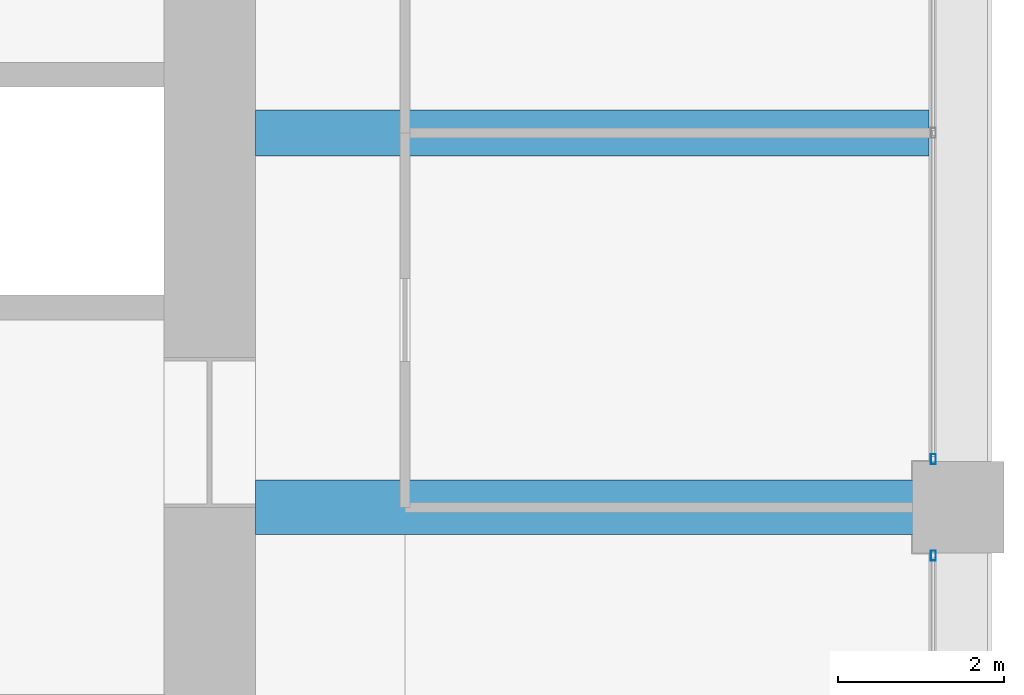
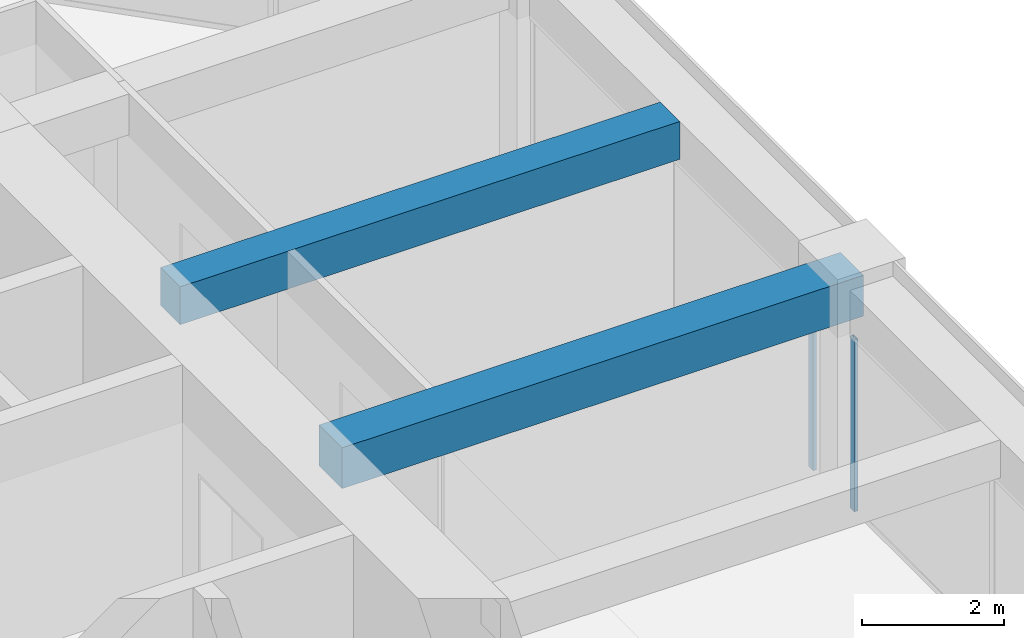
# One storey, part 26 of 44: 2 beams, 2 members, 2 elements without a shape of their own.
"""IFC4 building model written with IfcOpenShell, lengths in metres."""

from ifc_helpers import new_model, si_unit, direction, frame, origin, origin_2d, place, context, subcontext, project, spatial, rectangle, hollow_rectangle, extrude, material, material_profile, profile_set, type_object, element, aggregate, save


model = new_model("IFC4")

# Units and contexts
model_context = context("Model", 3, precision=1e-05, world=origin(), true_north=direction((0.0, 1.0)))
body_context = subcontext(model_context, "Body", "Model", "MODEL_VIEW")
ifc_project = project(units=[si_unit("LENGTHUNIT", "METRE"), si_unit("AREAUNIT", "SQUARE_METRE"), si_unit("VOLUMEUNIT", "CUBIC_METRE"), si_unit("PLANEANGLEUNIT", "RADIAN"), si_unit("MASSUNIT", "GRAM", prefix="KILO")], contexts=[model_context])

# Site, building, storey
site_placement = place(None, origin())
site = spatial("IfcSite", under=ifc_project, at=site_placement, CompositionType="ELEMENT")
building_placement = place(site_placement, origin())
building = spatial("IfcBuilding", under=site, at=building_placement, Name="Zorevar Civic Tower", CompositionType="ELEMENT")
storey_placement = place(building_placement, frame((0.0, 0.0, 295.39990234375)))
storey = spatial("IfcBuildingStorey", under=building, at=storey_placement, Name="L72", CompositionType="ELEMENT", Elevation=295.39990234375)

# Beams
ifc_material_1 = material(Name="Concrete C50/60", Category="concrete")
ifc_material_profile_1 = material_profile(ifc_material_1, rectangle(XDim=0.550048828125, YDim=0.64990234375, at=origin_2d()), Name="RC 550x650")
ifc_profile_set_1 = profile_set([ifc_material_profile_1], Name="Concrete C50/60")
beam_type_1 = type_object("IfcBeamType", Name="Beam RC 550x650", PredefinedType="BEAM", material=ifc_profile_set_1)
beam_1_placement = place(storey_placement, frame((45.550048828125, 31.5, 3.425048828125), z_axis=(1.0, 0.0, 0.0), x_axis=(0.0, 1.0, 0.0)))
element("IfcBeam", 1, at=beam_1_placement, inside=storey, type_object=beam_type_1, Name="Secondary beam L73", PredefinedType="BEAM", context=body_context, shape_type="SweptSolid", body=[
    extrude(rectangle(XDim=0.550048828125, YDim=0.64990234375, at=origin_2d()), origin(), (0.0, 0.0, 1.0), 8.099853515625),
])
ifc_material_2 = material(Name="Concrete C50/60", Category="concrete")
ifc_material_profile_2 = material_profile(ifc_material_2, rectangle(XDim=0.64990234375, YDim=0.699951171875, at=origin_2d()), Name="RC 650x700")
ifc_profile_set_2 = profile_set([ifc_material_profile_2], Name="Concrete C50/60")
beam_type_2 = type_object("IfcBeamType", Name="Beam RC 650x700", PredefinedType="BEAM", material=ifc_profile_set_2)
beam_2_placement = place(storey_placement, frame((45.550048828125, 27.0, 3.400146484375), z_axis=(1.0, 0.0, 0.0), x_axis=(0.0, 1.0, 0.0)))
element("IfcBeam", 2, at=beam_2_placement, inside=storey, type_object=beam_type_2, Name="Girder L73", PredefinedType="BEAM", context=body_context, shape_type="SweptSolid", body=[
    extrude(rectangle(XDim=0.64990234375, YDim=0.699951171875, at=origin_2d()), origin(), (0.0, 0.0, 1.0), 8.449951171875),
])

# Curtain wall, member
ifc_material_3 = material(Name="Dark grey solar-control glass in black aluminium frame", Category="aluminium")
curtain_wall_type = type_object("IfcCurtainWallType", Name="Curtain wall CW5 top zone", PredefinedType="NOTDEFINED", material=ifc_material_3)
curtain_wall_1_placement = place(storey_placement, origin())
curtain_wall_1 = element("IfcCurtainWall", 3, at=curtain_wall_1_placement, inside=storey, type_object=curtain_wall_type, Name="CW5 L72", PredefinedType="NOTDEFINED")
ifc_material_4 = material(Name="Aluminium, black anodised", Category="aluminium")
ifc_material_profile_3 = material_profile(ifc_material_4, hollow_rectangle(XDim=0.06005859375, YDim=0.1201171875, WallThickness=0.0029296875, at=origin_2d()), Name="AL 120x60x3")
ifc_profile_set_3 = profile_set([ifc_material_profile_3], Name="Aluminium, black anodised")
member_type = type_object("IfcMemberType", Name="CW5 mullion AL 120x60x3", PredefinedType="MULLION", material=ifc_profile_set_3)
member_1_placement = place(storey_placement, frame((53.699951171875, 26.419921875, 0.0), z_axis=(0.0, 0.0, 1.0), x_axis=(-1.0, 0.0, 0.0)))
member_1 = element("IfcMember", 4, at=member_1_placement, type_object=member_type, Name="CW5 mullion 3", PredefinedType="MULLION", context=body_context, shape_type="SweptSolid", body=[
    extrude(hollow_rectangle(XDim=0.06005859375, YDim=0.1201171875, WallThickness=0.0029296875, at=origin_2d()), origin(), (0.0, 0.0, 1.0), 2.9501953125),
])
aggregate(curtain_wall_1, [member_1])

curtain_wall_2_placement = place(storey_placement, origin())
curtain_wall_2 = element("IfcCurtainWall", 5, at=curtain_wall_2_placement, inside=storey, type_object=curtain_wall_type, Name="CW5 L72", PredefinedType="NOTDEFINED")
member_2_placement = place(storey_placement, frame((53.699951171875, 27.580078125, 0.0), z_axis=(0.0, 0.0, 1.0), x_axis=(-1.0, 0.0, 0.0)))
member_2 = element("IfcMember", 6, at=member_2_placement, type_object=member_type, Name="CW5 mullion 1", PredefinedType="MULLION", context=body_context, shape_type="SweptSolid", body=[
    extrude(hollow_rectangle(XDim=0.06005859375, YDim=0.1201171875, WallThickness=0.0029296875, at=origin_2d()), origin(), (0.0, 0.0, 1.0), 2.9501953125),
])
aggregate(curtain_wall_2, [member_2])

save(model, "model.ifc")
